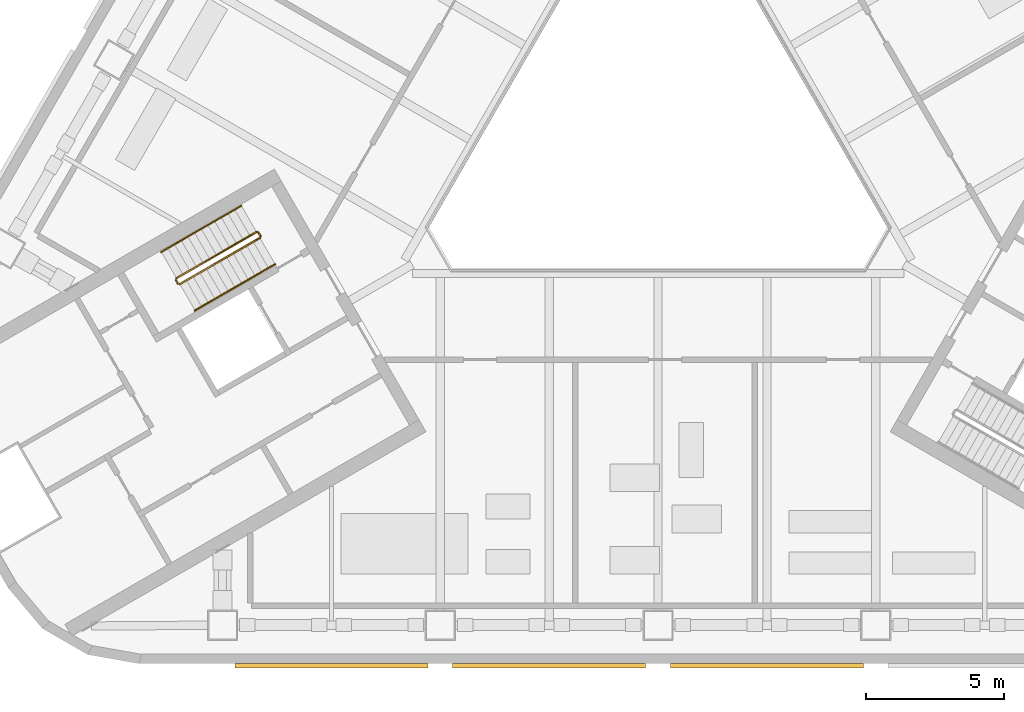
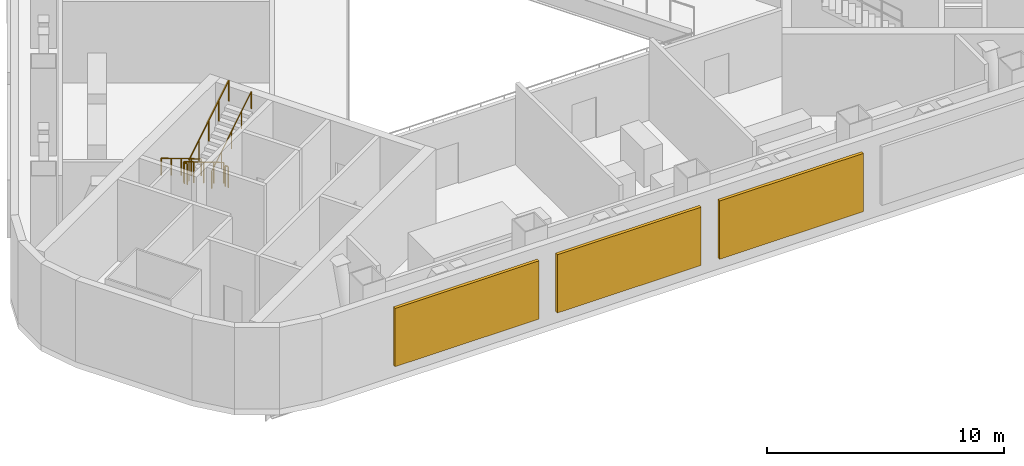
# One storey, part 11 of 15: 6 railings, 3 shading devices.
"""IFC4 building model written with IfcOpenShell, lengths in metres."""

from ifc_helpers import new_model, si_unit, direction, frame, origin, origin_2d, place, context, subcontext, project, spatial, rectangle, circle, extrude, material, type_object, element, save


model = new_model("IFC4")

# Units and contexts
model_context = context("Model", 3, precision=1e-05, world=origin(), true_north=direction((0.0, 1.0)))
body_context = subcontext(model_context, "Body", "Model", "MODEL_VIEW")
ifc_project = project(units=[si_unit("LENGTHUNIT", "METRE"), si_unit("AREAUNIT", "SQUARE_METRE"), si_unit("VOLUMEUNIT", "CUBIC_METRE"), si_unit("PLANEANGLEUNIT", "RADIAN"), si_unit("MASSUNIT", "GRAM", prefix="KILO")], contexts=[model_context])

# Site, building, storey
site_placement = place(None, origin())
site = spatial("IfcSite", under=ifc_project, at=site_placement, CompositionType="ELEMENT")
building_placement = place(site_placement, origin())
building = spatial("IfcBuilding", under=site, at=building_placement, Name="Apuvela Tower Hotel", CompositionType="ELEMENT")
storey_placement = place(building_placement, frame((0.0, 0.0, 37.5)))
storey = spatial("IfcBuildingStorey", under=building, at=storey_placement, Name="L06 Plant", CompositionType="ELEMENT", Elevation=37.5)

# Railings
ifc_material_1 = material(Name="Steel S275 balustrade", Category="steel")
railing_type_1 = type_object("IfcRailingType", Name="COR-GUARD-1100", PredefinedType="GUARDRAIL", material=ifc_material_1)
railing_1_placement = place(storey_placement, frame((-14.569091796875, -3.9658203125, 0.173095703125)))
element("IfcRailing", 1, at=railing_1_placement, inside=storey, type_object=railing_type_1, Name="L06 Plant ST2 stair guard 1", PredefinedType="GUARDRAIL", context=body_context, shape_type="SweptSolid", body=[
    extrude(rectangle(XDim=0.048095703125, YDim=0.048095703125, at=origin_2d()), frame((0.0, 0.0, 1.076171875), z_axis=(-0.736639687092, -0.425307743487, 0.525809180911), x_axis=(0.500007602105, -0.866021014662, 0.0)), (0.0, 0.0, 1.0), 3.949951171875),
    extrude(rectangle(XDim=0.0419921875, YDim=0.0419921875, at=origin_2d()), origin(), (0.0, 0.0, 1.0), 1.052001953125),
    extrude(rectangle(XDim=0.0419921875, YDim=0.0419921875, at=origin_2d()), frame((-0.7275390625, -0.419921875, 0.519287109375)), (0.0, 0.0, 1.0), 1.052001953125),
    extrude(rectangle(XDim=0.0419921875, YDim=0.0419921875, at=origin_2d()), frame((-1.454833984375, -0.83984375, 1.03857421875)), (0.0, 0.0, 1.0), 1.052001953125),
    extrude(rectangle(XDim=0.0419921875, YDim=0.0419921875, at=origin_2d()), frame((-2.18212890625, -1.260009765625, 1.5576171875)), (0.0, 0.0, 1.0), 1.052001953125),
    extrude(rectangle(XDim=0.0419921875, YDim=0.0419921875, at=origin_2d()), frame((-2.90966796875, -1.679931640625, 2.076904296875)), (0.0, 0.0, 1.0), 1.052001953125),
])
railing_2_placement = place(storey_placement, frame((-17.4970703125, -5.714111328125, 2.25)))
element("IfcRailing", 2, at=railing_2_placement, inside=storey, type_object=railing_type_1, Name="L06 Plant ST2 stair guard 2", PredefinedType="GUARDRAIL", context=body_context, shape_type="SweptSolid", body=[
    extrude(rectangle(XDim=0.048095703125, YDim=0.048095703125, at=origin_2d()), frame((0.0, 0.0, 1.076171875), z_axis=(0.499816412211, -0.866131372301, 0.0), x_axis=(0.866131372301, 0.499816412211, 0.0)), (0.0, 0.0, 1.0), 0.14990234375),
    extrude(rectangle(XDim=0.0419921875, YDim=0.0419921875, at=origin_2d()), origin(), (0.0, 0.0, 1.0), 1.052001953125),
    extrude(rectangle(XDim=0.0419921875, YDim=0.0419921875, at=origin_2d()), frame((0.074951171875, -0.1298828125, 0.0)), (0.0, 0.0, 1.0), 1.052001953125),
])
railing_3_placement = place(storey_placement, frame((-17.353759765625, -5.8623046875, 2.423095703125)))
element("IfcRailing", 3, at=railing_3_placement, inside=storey, type_object=railing_type_1, Name="L06 Plant ST2 stair guard 3", PredefinedType="GUARDRAIL", context=body_context, shape_type="SweptSolid", body=[
    extrude(rectangle(XDim=0.048095703125, YDim=0.048095703125, at=origin_2d()), frame((0.0, 0.0, 1.076171875), z_axis=(0.736639687092, 0.425307743487, 0.525809180911), x_axis=(-0.500007602105, 0.866021014662, 0.0)), (0.0, 0.0, 1.0), 3.949951171875),
    extrude(rectangle(XDim=0.0419921875, YDim=0.0419921875, at=origin_2d()), origin(), (0.0, 0.0, 1.0), 1.052001953125),
    extrude(rectangle(XDim=0.0419921875, YDim=0.0419921875, at=origin_2d()), frame((0.7275390625, 0.419921875, 0.519287109375)), (0.0, 0.0, 1.0), 1.052001953125),
    extrude(rectangle(XDim=0.0419921875, YDim=0.0419921875, at=origin_2d()), frame((1.454833984375, 0.83984375, 1.03857421875)), (0.0, 0.0, 1.0), 1.052001953125),
    extrude(rectangle(XDim=0.0419921875, YDim=0.0419921875, at=origin_2d()), frame((2.18212890625, 1.260009765625, 1.5576171875)), (0.0, 0.0, 1.0), 1.052001953125),
    extrude(rectangle(XDim=0.0419921875, YDim=0.0419921875, at=origin_2d()), frame((2.90966796875, 1.679931640625, 2.076904296875)), (0.0, 0.0, 1.0), 1.052001953125),
])
railing_4_placement = place(storey_placement, frame((-14.500732421875, -3.984130859375, 0.0)))
element("IfcRailing", 4, at=railing_4_placement, inside=storey, type_object=railing_type_1, Name="L06 Plant ST2 stair guard 4", PredefinedType="GUARDRAIL", context=body_context, shape_type="SweptSolid", body=[
    extrude(rectangle(XDim=0.048095703125, YDim=0.048095703125, at=origin_2d()), frame((0.0, 0.0, 1.076171875), z_axis=(0.499816412211, -0.866131372301, 0.0), x_axis=(0.866131372301, 0.499816412211, 0.0)), (0.0, 0.0, 1.0), 0.14990234375),
    extrude(rectangle(XDim=0.0419921875, YDim=0.0419921875, at=origin_2d()), origin(), (0.0, 0.0, 1.0), 1.052001953125),
    extrude(rectangle(XDim=0.0419921875, YDim=0.0419921875, at=origin_2d()), frame((0.074951171875, -0.1298828125, 0.0)), (0.0, 0.0, 1.0), 1.052001953125),
])
ifc_material_2 = material(Name="Stainless steel 316 handrail", Category="steel")
railing_type_2 = type_object("IfcRailingType", Name="COR-HANDRAIL-900", PredefinedType="HANDRAIL", material=ifc_material_2)
railing_5_placement = place(storey_placement, frame((-15.118896484375, -3.01318359375, 0.173095703125)))
element("IfcRailing", 5, at=railing_5_placement, inside=storey, type_object=railing_type_2, Name="L06 Plant ST2 stair handrail 1", PredefinedType="HANDRAIL", context=body_context, shape_type="SweptSolid", body=[
    extrude(circle(Radius=0.02392578125, at=origin_2d()), frame((0.0, 0.0, 0.8759765625), z_axis=(-0.736667954249, -0.425288379326, 0.525785240943), x_axis=(0.499976138585, -0.866039179741, 0.0)), (0.0, 0.0, 1.0), 3.9501953125),
    extrude(rectangle(XDim=0.0419921875, YDim=0.0419921875, at=origin_2d()), origin(), (0.0, 0.0, 1.0), 0.851806640625),
    extrude(rectangle(XDim=0.0419921875, YDim=0.0419921875, at=origin_2d()), frame((-0.7275390625, -0.419921875, 0.519287109375)), (0.0, 0.0, 1.0), 0.851806640625),
    extrude(rectangle(XDim=0.0419921875, YDim=0.0419921875, at=origin_2d()), frame((-1.455078125, -0.83984375, 1.03857421875)), (0.0, 0.0, 1.0), 0.851806640625),
    extrude(rectangle(XDim=0.0419921875, YDim=0.0419921875, at=origin_2d()), frame((-2.182373046875, -1.260009765625, 1.5576171875)), (0.0, 0.0, 1.0), 0.851806640625),
    extrude(rectangle(XDim=0.0419921875, YDim=0.0419921875, at=origin_2d()), frame((-2.909912109375, -1.679931640625, 2.076904296875)), (0.0, 0.0, 1.0), 0.851806640625),
])
railing_6_placement = place(storey_placement, frame((-16.8037109375, -6.81494140625, 2.423095703125)))
element("IfcRailing", 6, at=railing_6_placement, inside=storey, type_object=railing_type_2, Name="L06 Plant ST2 stair handrail 2", PredefinedType="HANDRAIL", context=body_context, shape_type="SweptSolid", body=[
    extrude(circle(Radius=0.02392578125, at=origin_2d()), frame((0.0, 0.0, 0.8759765625), z_axis=(0.736639687092, 0.425307743487, 0.525809180911), x_axis=(-0.500007602105, 0.866021014662, 0.0)), (0.0, 0.0, 1.0), 3.949951171875),
    extrude(rectangle(XDim=0.0419921875, YDim=0.0419921875, at=origin_2d()), origin(), (0.0, 0.0, 1.0), 0.851806640625),
    extrude(rectangle(XDim=0.0419921875, YDim=0.0419921875, at=origin_2d()), frame((0.7275390625, 0.419921875, 0.519287109375)), (0.0, 0.0, 1.0), 0.851806640625),
    extrude(rectangle(XDim=0.0419921875, YDim=0.0419921875, at=origin_2d()), frame((1.454833984375, 0.83984375, 1.03857421875)), (0.0, 0.0, 1.0), 0.851806640625),
    extrude(rectangle(XDim=0.0419921875, YDim=0.0419921875, at=origin_2d()), frame((2.18212890625, 1.260009765625, 1.5576171875)), (0.0, 0.0, 1.0), 0.851806640625),
    extrude(rectangle(XDim=0.0419921875, YDim=0.0419921875, at=origin_2d()), frame((2.90966796875, 1.679931640625, 2.076904296875)), (0.0, 0.0, 1.0), 0.851806640625),
])

# Shading devices
ifc_material_3 = material(Name="Aluminium 6063-T6, black anodised louvre blades", Category="aluminium")
shading_device_type = type_object("IfcShadingDeviceType", Name="ENV-LOUVRE-SCREEN", PredefinedType="USERDEFINED", material=ifc_material_3)
for number, where, z_axis, x_axis, name in (
    (7, (-11.85009765625, -19.705078125, 0.60009765625), (0.0, 0.0, 1.0), (1.0, 0.0, 0.0), "Plant louvre S1"),
    (8, (-3.949951171875, -19.705078125, 0.60009765625), (0.0, 0.0, 1.0), (1.0, 0.0, 0.0), "Plant louvre S2"),
    (9, (3.949951171875, -19.705078125, 0.60009765625), (0.0, 0.0, 1.0), (1.0, 0.0, 0.0), "Plant louvre S3"),
):
    element("IfcShadingDevice", number, at=place(storey_placement, frame(where, z_axis=z_axis, x_axis=x_axis)), inside=storey, type_object=shading_device_type, Name=name, ObjectType="LOUVRE", PredefinedType="USERDEFINED", context=body_context, shape_type="SweptSolid", body=[
        extrude(rectangle(XDim=7.0, YDim=0.14990234375, at=origin_2d()), origin(), (0.0, 0.0, 1.0), 3.0),
    ])

save(model, "model.ifc")
